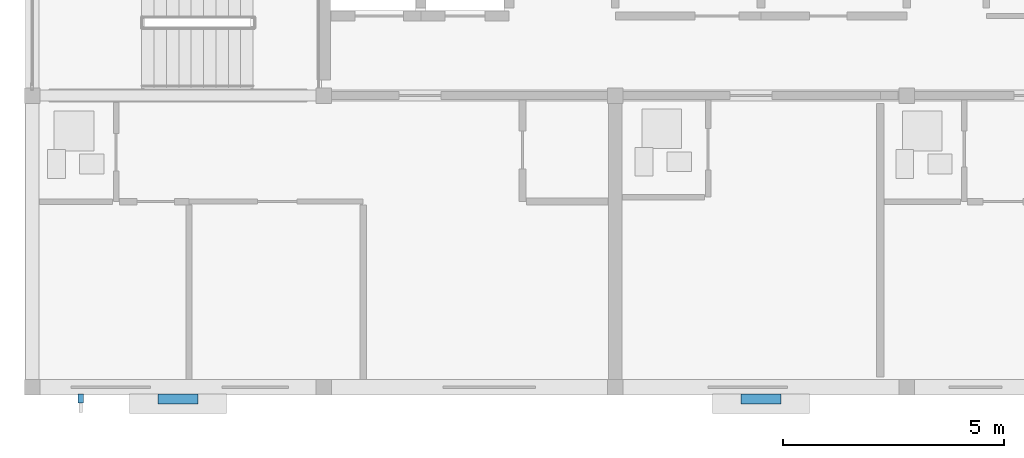
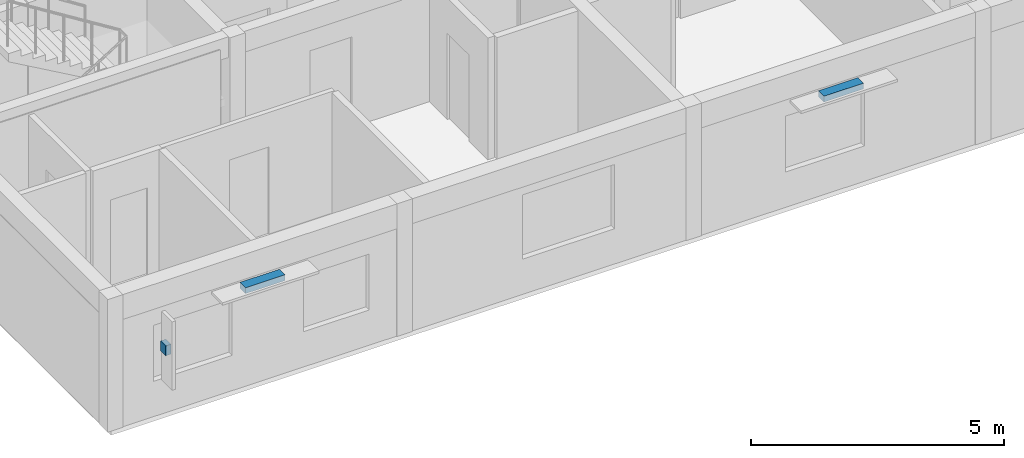
# One storey, part 43 of 53: 3 discrete accessories.
"""IFC4 building model written with IfcOpenShell, lengths in metres."""

from ifc_helpers import new_model, si_unit, direction, frame, origin, origin_2d, place, context, subcontext, project, spatial, rectangle, extrude, material, type_object, element, save


model = new_model("IFC4")

# Units and contexts
model_context = context("Model", 3, precision=1e-05, world=origin(), true_north=direction((0.0, 1.0)))
body_context = subcontext(model_context, "Body", "Model", "MODEL_VIEW")
ifc_project = project(units=[si_unit("LENGTHUNIT", "METRE"), si_unit("AREAUNIT", "SQUARE_METRE"), si_unit("VOLUMEUNIT", "CUBIC_METRE"), si_unit("PLANEANGLEUNIT", "RADIAN"), si_unit("MASSUNIT", "GRAM", prefix="KILO")], contexts=[model_context])

# Site, building, storey
site_placement = place(None, origin())
site = spatial("IfcSite", under=ifc_project, at=site_placement, CompositionType="ELEMENT")
building_placement = place(site_placement, origin())
building = spatial("IfcBuilding", under=site, at=building_placement, Name="Kernevlak Ridge Housing Community", CompositionType="ELEMENT")
storey_placement = place(building_placement, frame((0.0, 0.0, 24.39990234375)))
storey = spatial("IfcBuildingStorey", under=building, at=storey_placement, Name="L07", CompositionType="ELEMENT", Elevation=24.39990234375)

# Discrete accessories
ifc_material = material(Name="Steel S355 galvanised", Category="steel")
discrete_accessory_type = type_object("IfcDiscreteAccessoryType", Name="BK-01", PredefinedType="BRACKET", material=ifc_material)
discrete_accessory_1_placement = place(storey_placement, frame((18.89990234375, 15.330078125, 2.41015625), z_axis=(0.0, 0.0, 1.0), x_axis=(1.0, 0.0, 0.0)))
element("IfcDiscreteAccessory", 1, at=discrete_accessory_1_placement, inside=storey, type_object=discrete_accessory_type, Name="Sunshade steel bracket 43", PredefinedType="BRACKET", context=body_context, shape_type="SweptSolid", body=[
    extrude(rectangle(XDim=0.89990234375, YDim=0.219970703125, at=origin_2d()), origin(), (0.0, 0.0, 1.0), 0.139892578125),
])
discrete_accessory_2_placement = place(storey_placement, frame((16.699951171875, 15.340087890625, 1.5302734375), z_axis=(0.0, 0.0, 1.0), x_axis=(1.0, 0.0, 0.0)))
element("IfcDiscreteAccessory", 2, at=discrete_accessory_2_placement, inside=storey, type_object=discrete_accessory_type, Name="Vertical fin fixing bracket 43", PredefinedType="BRACKET", context=body_context, shape_type="SweptSolid", body=[
    extrude(rectangle(XDim=0.1201171875, YDim=0.199951171875, at=origin_2d()), origin(), (0.0, 0.0, 1.0), 0.239990234375),
])
discrete_accessory_3_placement = place(storey_placement, frame((32.10009765625, 15.330078125, 2.41015625), z_axis=(0.0, 0.0, 1.0), x_axis=(1.0, 0.0, 0.0)))
element("IfcDiscreteAccessory", 3, at=discrete_accessory_3_placement, inside=storey, type_object=discrete_accessory_type, Name="Sunshade steel bracket 44", PredefinedType="BRACKET", context=body_context, shape_type="SweptSolid", body=[
    extrude(rectangle(XDim=0.89990234375, YDim=0.219970703125, at=origin_2d()), origin(), (0.0, 0.0, 1.0), 0.139892578125),
])

save(model, "model.ifc")
